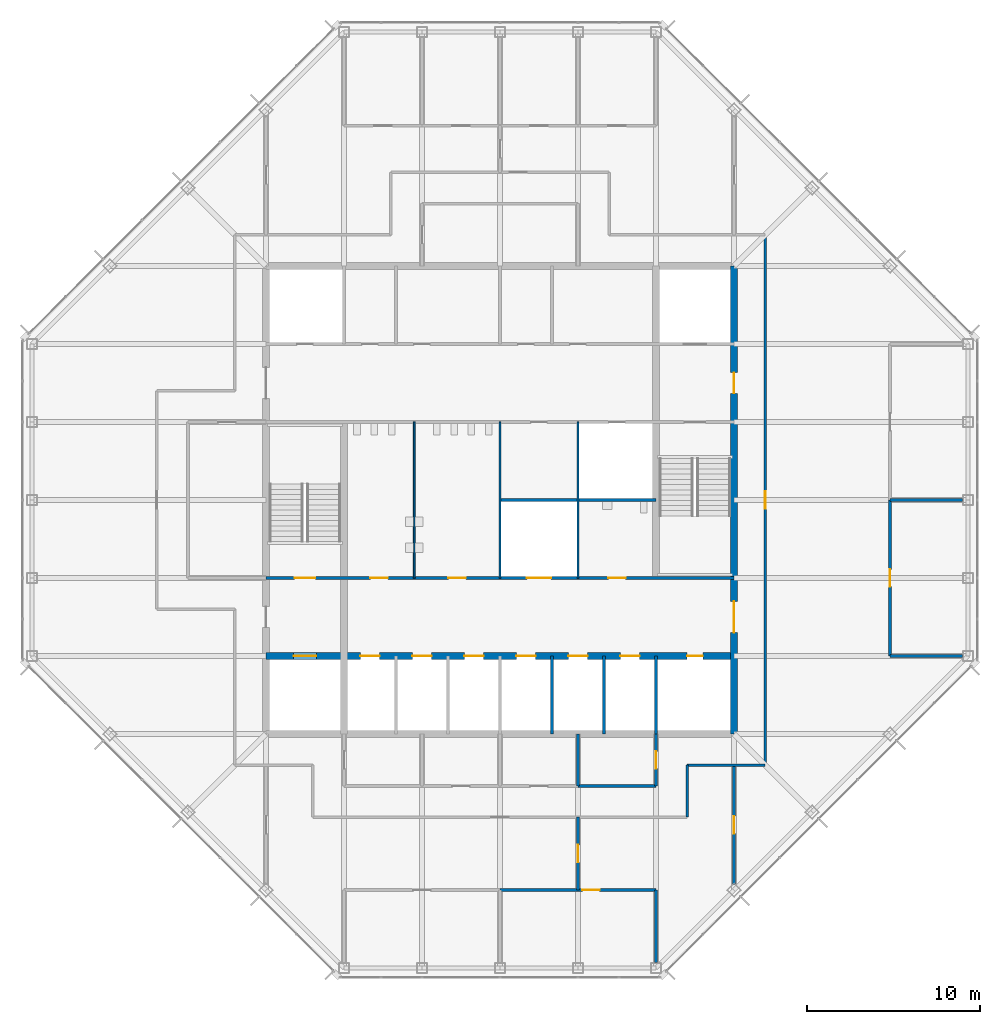
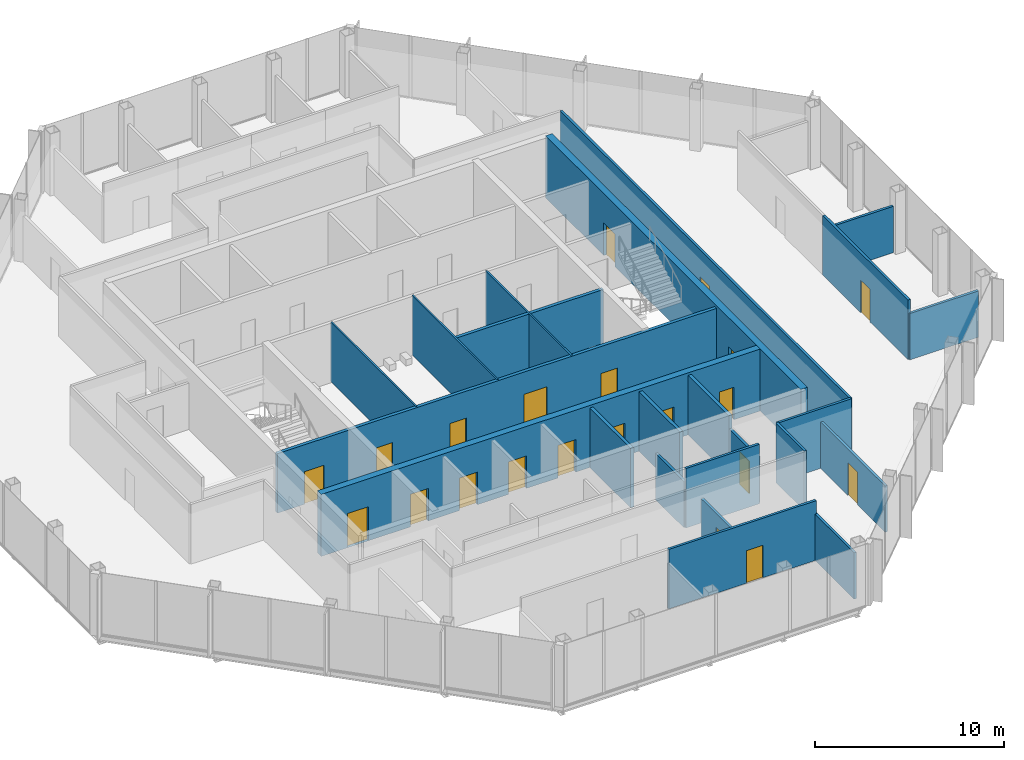
# One storey, part 10 of 14: 23 walls, 21 doors, 21 openings.
"""IFC4 building model written with IfcOpenShell, lengths in metres."""

from ifc_helpers import new_model, si_unit, direction, frame, frame_2d, origin, place, context, subcontext, project, spatial, rectangle, extrude, material, layer, layer_set, type_object, element, fill, save


model = new_model("IFC4")

# Units and contexts
model_context = context("Model", 3, precision=1e-05, world=origin(), true_north=direction((0.0, 1.0)))
body_context = subcontext(model_context, "Body", "Model", "MODEL_VIEW")
ifc_project = project(units=[si_unit("LENGTHUNIT", "METRE"), si_unit("AREAUNIT", "SQUARE_METRE"), si_unit("VOLUMEUNIT", "CUBIC_METRE"), si_unit("PLANEANGLEUNIT", "RADIAN"), si_unit("MASSUNIT", "GRAM", prefix="KILO")], contexts=[model_context])

# Site, building, storey
site_placement = place(None, origin())
site = spatial("IfcSite", under=ifc_project, at=site_placement, CompositionType="ELEMENT")
building_placement = place(site_placement, origin())
building = spatial("IfcBuilding", under=site, at=building_placement, Name="Corais Broadcast Tower", CompositionType="ELEMENT")
storey_placement = place(building_placement, frame((0.0, 0.0, 282.60009765625)))
storey = spatial("IfcBuildingStorey", under=building, at=storey_placement, Name="L66", CompositionType="ELEMENT", Elevation=282.60009765625)

# Wall
ifc_material_1 = material(Name="Concrete blockwork class A, grouted, two-hour", Category="masonry")
ifc_layer_1 = layer(ifc_material_1, 0.199951171875)
ifc_layer_set_1 = layer_set([ifc_layer_1], Name="Concrete blockwork class A, grouted, two-hour")
wall_type_1 = type_object("IfcWallType", Name="Core lobby wall 200", PredefinedType="SOLIDWALL", material=ifc_layer_set_1)
wall_1_placement = place(storey_placement, frame((36.0, 13.5, 0.0), z_axis=(0.0, 0.0, 1.0), x_axis=(0.0, 1.0, 0.0)))
element("IfcWall", 1, at=wall_1_placement, inside=storey, type_object=wall_type_1, Name="CL3 core shaft wall X36A L66", PredefinedType="SOLIDWALL", context=body_context, shape_type="SweptSolid", body=[
    extrude(rectangle(XDim=4.5, YDim=0.199951171875, at=frame_2d((2.25, 0.0))), origin(), (0.0, 0.0, 1.0), 3.83984375),
])

# Wall, openings, doors
wall_2_placement = place(storey_placement, frame((13.5, 22.5, 0.0), z_axis=(0.0, 0.0, 1.0), x_axis=(1.0, 0.0, 0.0)))
wall_2 = element("IfcWall", 2, at=wall_2_placement, inside=storey, type_object=wall_type_1, Name="CL3 core lobby wall Y225 L66", PredefinedType="SOLIDWALL", context=body_context, shape_type="SweptSolid", body=[
    extrude(rectangle(XDim=27.0, YDim=0.199951171875, at=frame_2d((13.5, 0.0))), origin(), (0.0, 0.0, 1.0), 3.83984375),
])
opening_1_placement = place(wall_2_placement, frame((1.64990234375, 0.0, 0.0)))
opening_1 = element("IfcOpeningElement", 3, at=opening_1_placement, cuts=wall_2, Name="Opening FD1", PredefinedType="OPENING", context=body_context, shape_type="SweptSolid", body=[
    extrude(rectangle(XDim=1.199951171875, YDim=2.10009765625, at=frame_2d((0.60009765625, 1.050048828125))), frame((0.0, 0.10986328125, 0.0), z_axis=(0.0, -1.0, 0.0), x_axis=(1.0, 0.0, 0.0)), (0.0, 0.0, 1.0), 0.219970703125),
])
opening_2_placement = place(wall_2_placement, frame((6.02490234375, 0.0, 0.0)))
opening_2 = element("IfcOpeningElement", 4, at=opening_2_placement, cuts=wall_2, Name="Opening WD1", PredefinedType="OPENING", context=body_context, shape_type="SweptSolid", body=[
    extrude(rectangle(XDim=1.0, YDim=2.10009765625, at=frame_2d((0.5, 1.050048828125))), frame((0.0, 0.10986328125, 0.0), z_axis=(0.0, -1.0, 0.0), x_axis=(1.0, 0.0, 0.0)), (0.0, 0.0, 1.0), 0.219970703125),
])
opening_3_placement = place(wall_2_placement, frame((10.52490234375, 0.0, 0.0)))
opening_3 = element("IfcOpeningElement", 5, at=opening_3_placement, cuts=wall_2, Name="Opening WD1", PredefinedType="OPENING", context=body_context, shape_type="SweptSolid", body=[
    extrude(rectangle(XDim=1.0, YDim=2.10009765625, at=frame_2d((0.5, 1.050048828125))), frame((0.0, 0.10986328125, 0.0), z_axis=(0.0, -1.0, 0.0), x_axis=(1.0, 0.0, 0.0)), (0.0, 0.0, 1.0), 0.219970703125),
])
opening_4_placement = place(wall_2_placement, frame((19.75, 0.0, 0.0)))
opening_4 = element("IfcOpeningElement", 6, at=opening_4_placement, cuts=wall_2, Name="Opening WD1", PredefinedType="OPENING", context=body_context, shape_type="SweptSolid", body=[
    extrude(rectangle(XDim=1.0, YDim=2.10009765625, at=frame_2d((0.5, 1.050048828125))), frame((0.0, 0.10986328125, 0.0), z_axis=(0.0, -1.0, 0.0), x_axis=(1.0, 0.0, 0.0)), (0.0, 0.0, 1.0), 0.219970703125),
])
opening_5_placement = place(wall_2_placement, frame((15.050048828125, 0.0, 0.0)))
opening_5 = element("IfcOpeningElement", 7, at=opening_5_placement, cuts=wall_2, Name="Opening LD3", PredefinedType="OPENING", context=body_context, shape_type="SweptSolid", body=[
    extrude(rectangle(XDim=1.39990234375, YDim=2.39990234375, at=frame_2d((0.699951171875, 1.199951171875))), frame((0.0, 0.10986328125, 0.0), z_axis=(0.0, -1.0, 0.0), x_axis=(1.0, 0.0, 0.0)), (0.0, 0.0, 1.0), 0.219970703125),
])
ifc_material_2 = material(Name="Steel fire door", Category="steel")
door_type_1 = type_object("IfcDoorType", Name="Fire door 1200x2100", OperationType="SINGLE_SWING_LEFT", PredefinedType="DOOR", material=ifc_material_2)
door_1_placement = place(opening_1_placement, origin())
door_1 = element("IfcDoor", 8, at=door_1_placement, inside=storey, type_object=door_type_1, Name="FD1 stair A door L66", OperationType="SINGLE_SWING_LEFT", OverallHeight=2.10009765625, OverallWidth=1.199951171875, PredefinedType="DOOR", context=body_context, shape_type="SweptSolid", body=[
    extrude(rectangle(XDim=1.199951171875, YDim=2.10009765625, at=frame_2d((0.60009765625, 1.050048828125))), frame((0.0, 0.02490234375, 0.0), z_axis=(0.0, -1.0, 0.0), x_axis=(1.0, 0.0, 0.0)), (0.0, 0.0, 1.0), 0.050048828125),
])
fill(opening_1, door_1)
ifc_material_3 = material(Name="Stainless steel lift door", Category="steel")
door_type_2 = type_object("IfcDoorType", Name="Service lift landing door 1400x2400", OperationType="SLIDING_TO_LEFT", PredefinedType="DOOR", material=ifc_material_3)
door_2_placement = place(opening_5_placement, origin())
door_2 = element("IfcDoor", 9, at=door_2_placement, inside=storey, type_object=door_type_2, Name="LD3 SL1 landing door L66", OperationType="SLIDING_TO_LEFT", OverallHeight=2.39990234375, OverallWidth=1.39990234375, PredefinedType="DOOR", context=body_context, shape_type="SweptSolid", body=[
    extrude(rectangle(XDim=1.39990234375, YDim=2.39990234375, at=frame_2d((0.699951171875, 1.199951171875))), frame((0.0, 0.02490234375, 0.0), z_axis=(0.0, -1.0, 0.0), x_axis=(1.0, 0.0, 0.0)), (0.0, 0.0, 1.0), 0.050048828125),
])
fill(opening_5, door_2)
ifc_material_4 = material(Name="Timber door", Category="wood")
door_type_3 = type_object("IfcDoorType", Name="Toilet door 1000x2100", OperationType="SINGLE_SWING_LEFT", PredefinedType="DOOR", material=ifc_material_4)
door_3_placement = place(opening_2_placement, origin())
door_3 = element("IfcDoor", 10, at=door_3_placement, inside=storey, type_object=door_type_3, Name="WD1 WC male door L66", OperationType="SINGLE_SWING_LEFT", OverallHeight=2.10009765625, OverallWidth=1.0, PredefinedType="DOOR", context=body_context, shape_type="SweptSolid", body=[
    extrude(rectangle(XDim=1.0, YDim=2.10009765625, at=frame_2d((0.5, 1.050048828125))), frame((0.0, 0.02490234375, 0.0), z_axis=(0.0, -1.0, 0.0), x_axis=(1.0, 0.0, 0.0)), (0.0, 0.0, 1.0), 0.050048828125),
])
fill(opening_2, door_3)
door_4_placement = place(opening_3_placement, origin())
door_4 = element("IfcDoor", 11, at=door_4_placement, inside=storey, type_object=door_type_3, Name="WD1 WC female door L66", OperationType="SINGLE_SWING_LEFT", OverallHeight=2.10009765625, OverallWidth=1.0, PredefinedType="DOOR", context=body_context, shape_type="SweptSolid", body=[
    extrude(rectangle(XDim=1.0, YDim=2.10009765625, at=frame_2d((0.5, 1.050048828125))), frame((0.0, 0.02490234375, 0.0), z_axis=(0.0, -1.0, 0.0), x_axis=(1.0, 0.0, 0.0)), (0.0, 0.0, 1.0), 0.050048828125),
])
fill(opening_3, door_4)
door_5_placement = place(opening_4_placement, origin())
door_5 = element("IfcDoor", 12, at=door_5_placement, inside=storey, type_object=door_type_3, Name="WD1 accessible WC door L66", OperationType="SINGLE_SWING_RIGHT", OverallHeight=2.10009765625, OverallWidth=1.0, PredefinedType="DOOR", context=body_context, shape_type="SweptSolid", body=[
    extrude(rectangle(XDim=1.0, YDim=2.10009765625, at=frame_2d((0.5, 1.050048828125))), frame((0.0, 0.02490234375, 0.0), z_axis=(0.0, -1.0, 0.0), x_axis=(1.0, 0.0, 0.0)), (0.0, 0.0, 1.0), 0.050048828125),
])
fill(opening_4, door_5)

ifc_material_5 = material(Name="Concrete C50/60", Category="concrete")
ifc_layer_2 = layer(ifc_material_5, 0.39990234375)
ifc_layer_set_2 = layer_set([ifc_layer_2], Name="Concrete C50/60")
wall_type_2 = type_object("IfcWallType", Name="Core wall 400", PredefinedType="SHEAR", material=ifc_layer_set_2)
wall_3_placement = place(storey_placement, frame((40.5, 13.5, 0.0), z_axis=(0.0, 0.0, 1.0), x_axis=(0.0, 1.0, 0.0)))
wall_3 = element("IfcWall", 13, at=wall_3_placement, inside=storey, type_object=wall_type_2, Name="CR400 core wall E L66", PredefinedType="SHEAR", context=body_context, shape_type="SweptSolid", body=[
    extrude(rectangle(XDim=27.0, YDim=0.39990234375, at=frame_2d((13.5, 0.0))), origin(), (0.0, 0.0, 1.0), 4.0),
])
opening_6_placement = place(wall_3_placement, frame((5.85009765625, 0.0, 0.0)))
opening_6 = element("IfcOpeningElement", 14, at=opening_6_placement, cuts=wall_3, Name="Opening FD2", PredefinedType="OPENING", context=body_context, shape_type="SweptSolid", body=[
    extrude(rectangle(XDim=1.800048828125, YDim=2.10009765625, at=frame_2d((0.89990234375, 1.050048828125))), frame((0.0, 0.2099609375, 0.0), z_axis=(0.0, -1.0, 0.0), x_axis=(1.0, 0.0, 0.0)), (0.0, 0.0, 1.0), 0.419921875),
])
opening_7_placement = place(wall_3_placement, frame((19.64990234375, 0.0, 0.0)))
opening_7 = element("IfcOpeningElement", 15, at=opening_7_placement, cuts=wall_3, Name="Opening FD1", PredefinedType="OPENING", context=body_context, shape_type="SweptSolid", body=[
    extrude(rectangle(XDim=1.199951171875, YDim=2.10009765625, at=frame_2d((0.60009765625, 1.050048828125))), frame((0.0, 0.2099609375, 0.0), z_axis=(0.0, -1.0, 0.0), x_axis=(1.0, 0.0, 0.0)), (0.0, 0.0, 1.0), 0.419921875),
])
door_6_placement = place(opening_7_placement, origin())
door_6 = element("IfcDoor", 16, at=door_6_placement, inside=storey, type_object=door_type_1, Name="FD1 fire lobby B door L66", OperationType="SINGLE_SWING_RIGHT", OverallHeight=2.10009765625, OverallWidth=1.199951171875, PredefinedType="DOOR", context=body_context, shape_type="SweptSolid", body=[
    extrude(rectangle(XDim=1.199951171875, YDim=2.10009765625, at=frame_2d((0.60009765625, 1.050048828125))), frame((0.0, 0.02490234375, 0.0), z_axis=(0.0, -1.0, 0.0), x_axis=(1.0, 0.0, 0.0)), (0.0, 0.0, 1.0), 0.050048828125),
])
fill(opening_7, door_6)
ifc_material_6 = material(Name="Steel fire door", Category="steel")
door_type_4 = type_object("IfcDoorType", Name="Fire door pair 1800x2100", OperationType="DOUBLE_DOOR_SINGLE_SWING", PredefinedType="DOOR", material=ifc_material_6)
door_7_placement = place(opening_6_placement, origin())
door_7 = element("IfcDoor", 17, at=door_7_placement, inside=storey, type_object=door_type_4, Name="FD2 lift lobby door L66", OperationType="SINGLE_SWING_LEFT", OverallHeight=2.10009765625, OverallWidth=1.800048828125, PredefinedType="DOOR", context=body_context, shape_type="SweptSolid", body=[
    extrude(rectangle(XDim=1.800048828125, YDim=2.10009765625, at=frame_2d((0.89990234375, 1.050048828125))), frame((0.0, 0.02490234375, 0.0), z_axis=(0.0, -1.0, 0.0), x_axis=(1.0, 0.0, 0.0)), (0.0, 0.0, 1.0), 0.050048828125),
])
fill(opening_6, door_7)

wall_4_placement = place(storey_placement, frame((13.5, 18.0, 0.0), z_axis=(0.0, 0.0, 1.0), x_axis=(1.0, 0.0, 0.0)))
wall_4 = element("IfcWall", 18, at=wall_4_placement, inside=storey, type_object=wall_type_2, Name="CR400 core wall Y18 L66", PredefinedType="SHEAR", context=body_context, shape_type="SweptSolid", body=[
    extrude(rectangle(XDim=27.0, YDim=0.39990234375, at=frame_2d((13.5, 0.0))), origin(), (0.0, 0.0, 1.0), 4.0),
])
opening_8_placement = place(wall_4_placement, frame((24.300048828125, 0.0, 0.0)))
opening_8 = element("IfcOpeningElement", 19, at=opening_8_placement, cuts=wall_4, Name="Opening RD1", PredefinedType="OPENING", context=body_context, shape_type="SweptSolid", body=[
    extrude(rectangle(XDim=0.89990234375, YDim=2.10009765625, at=frame_2d((0.449951171875, 1.050048828125))), frame((0.0, 0.2099609375, 0.0), z_axis=(0.0, -1.0, 0.0), x_axis=(1.0, 0.0, 0.0)), (0.0, 0.0, 1.0), 0.419921875),
])
opening_9_placement = place(wall_4_placement, frame((5.449951171875, 0.0, 0.0)))
opening_9 = element("IfcOpeningElement", 20, at=opening_9_placement, cuts=wall_4, Name="Opening LD1", PredefinedType="OPENING", context=body_context, shape_type="SweptSolid", body=[
    extrude(rectangle(XDim=1.10009765625, YDim=2.10009765625, at=frame_2d((0.550048828125, 1.050048828125))), frame((0.0, 0.2099609375, 0.0), z_axis=(0.0, -1.0, 0.0), x_axis=(1.0, 0.0, 0.0)), (0.0, 0.0, 1.0), 0.419921875),
])
opening_10_placement = place(wall_4_placement, frame((8.449951171875, 0.0, 0.0)))
opening_10 = element("IfcOpeningElement", 21, at=opening_10_placement, cuts=wall_4, Name="Opening LD1", PredefinedType="OPENING", context=body_context, shape_type="SweptSolid", body=[
    extrude(rectangle(XDim=1.10009765625, YDim=2.10009765625, at=frame_2d((0.550048828125, 1.050048828125))), frame((0.0, 0.2099609375, 0.0), z_axis=(0.0, -1.0, 0.0), x_axis=(1.0, 0.0, 0.0)), (0.0, 0.0, 1.0), 0.419921875),
])
opening_11_placement = place(wall_4_placement, frame((11.449951171875, 0.0, 0.0)))
opening_11 = element("IfcOpeningElement", 22, at=opening_11_placement, cuts=wall_4, Name="Opening LD1", PredefinedType="OPENING", context=body_context, shape_type="SweptSolid", body=[
    extrude(rectangle(XDim=1.10009765625, YDim=2.10009765625, at=frame_2d((0.550048828125, 1.050048828125))), frame((0.0, 0.2099609375, 0.0), z_axis=(0.0, -1.0, 0.0), x_axis=(1.0, 0.0, 0.0)), (0.0, 0.0, 1.0), 0.419921875),
])
opening_12_placement = place(wall_4_placement, frame((14.449951171875, 0.0, 0.0)))
opening_12 = element("IfcOpeningElement", 23, at=opening_12_placement, cuts=wall_4, Name="Opening LD1", PredefinedType="OPENING", context=body_context, shape_type="SweptSolid", body=[
    extrude(rectangle(XDim=1.10009765625, YDim=2.10009765625, at=frame_2d((0.550048828125, 1.050048828125))), frame((0.0, 0.2099609375, 0.0), z_axis=(0.0, -1.0, 0.0), x_axis=(1.0, 0.0, 0.0)), (0.0, 0.0, 1.0), 0.419921875),
])
opening_13_placement = place(wall_4_placement, frame((17.449951171875, 0.0, 0.0)))
opening_13 = element("IfcOpeningElement", 24, at=opening_13_placement, cuts=wall_4, Name="Opening LD1", PredefinedType="OPENING", context=body_context, shape_type="SweptSolid", body=[
    extrude(rectangle(XDim=1.10009765625, YDim=2.10009765625, at=frame_2d((0.550048828125, 1.050048828125))), frame((0.0, 0.2099609375, 0.0), z_axis=(0.0, -1.0, 0.0), x_axis=(1.0, 0.0, 0.0)), (0.0, 0.0, 1.0), 0.419921875),
])
opening_14_placement = place(wall_4_placement, frame((20.449951171875, 0.0, 0.0)))
opening_14 = element("IfcOpeningElement", 25, at=opening_14_placement, cuts=wall_4, Name="Opening LD1", PredefinedType="OPENING", context=body_context, shape_type="SweptSolid", body=[
    extrude(rectangle(XDim=1.10009765625, YDim=2.10009765625, at=frame_2d((0.550048828125, 1.050048828125))), frame((0.0, 0.2099609375, 0.0), z_axis=(0.0, -1.0, 0.0), x_axis=(1.0, 0.0, 0.0)), (0.0, 0.0, 1.0), 0.419921875),
])
opening_15_placement = place(wall_4_placement, frame((1.60009765625, 0.0, 0.0)))
opening_15 = element("IfcOpeningElement", 26, at=opening_15_placement, cuts=wall_4, Name="Opening LD2", PredefinedType="OPENING", context=body_context, shape_type="SweptSolid", body=[
    extrude(rectangle(XDim=1.300048828125, YDim=2.199951171875, at=frame_2d((0.64990234375, 1.10009765625))), frame((0.0, 0.2099609375, 0.0), z_axis=(0.0, -1.0, 0.0), x_axis=(1.0, 0.0, 0.0)), (0.0, 0.0, 1.0), 0.419921875),
])
ifc_material_7 = material(Name="Stainless steel lift door", Category="steel")
door_type_5 = type_object("IfcDoorType", Name="Lift landing door 1100x2100", OperationType="SLIDING_TO_LEFT", PredefinedType="DOOR", material=ifc_material_7)
door_8_placement = place(opening_9_placement, origin())
door_8 = element("IfcDoor", 27, at=door_8_placement, inside=storey, type_object=door_type_5, Name="LD1 PH1 landing door L66", OperationType="SLIDING_TO_LEFT", OverallHeight=2.10009765625, OverallWidth=1.10009765625, PredefinedType="DOOR", context=body_context, shape_type="SweptSolid", body=[
    extrude(rectangle(XDim=1.10009765625, YDim=2.10009765625, at=frame_2d((0.550048828125, 1.050048828125))), frame((0.0, 0.02490234375, 0.0), z_axis=(0.0, -1.0, 0.0), x_axis=(1.0, 0.0, 0.0)), (0.0, 0.0, 1.0), 0.050048828125),
])
fill(opening_9, door_8)
door_9_placement = place(opening_10_placement, origin())
door_9 = element("IfcDoor", 28, at=door_9_placement, inside=storey, type_object=door_type_5, Name="LD1 PH2 landing door L66", OperationType="SLIDING_TO_LEFT", OverallHeight=2.10009765625, OverallWidth=1.10009765625, PredefinedType="DOOR", context=body_context, shape_type="SweptSolid", body=[
    extrude(rectangle(XDim=1.10009765625, YDim=2.10009765625, at=frame_2d((0.550048828125, 1.050048828125))), frame((0.0, 0.02490234375, 0.0), z_axis=(0.0, -1.0, 0.0), x_axis=(1.0, 0.0, 0.0)), (0.0, 0.0, 1.0), 0.050048828125),
])
fill(opening_10, door_9)
door_10_placement = place(opening_11_placement, origin())
door_10 = element("IfcDoor", 29, at=door_10_placement, inside=storey, type_object=door_type_5, Name="LD1 PH3 landing door L66", OperationType="SLIDING_TO_LEFT", OverallHeight=2.10009765625, OverallWidth=1.10009765625, PredefinedType="DOOR", context=body_context, shape_type="SweptSolid", body=[
    extrude(rectangle(XDim=1.10009765625, YDim=2.10009765625, at=frame_2d((0.550048828125, 1.050048828125))), frame((0.0, 0.02490234375, 0.0), z_axis=(0.0, -1.0, 0.0), x_axis=(1.0, 0.0, 0.0)), (0.0, 0.0, 1.0), 0.050048828125),
])
fill(opening_11, door_10)
door_11_placement = place(opening_12_placement, origin())
door_11 = element("IfcDoor", 30, at=door_11_placement, inside=storey, type_object=door_type_5, Name="LD1 PH4 landing door L66", OperationType="SLIDING_TO_LEFT", OverallHeight=2.10009765625, OverallWidth=1.10009765625, PredefinedType="DOOR", context=body_context, shape_type="SweptSolid", body=[
    extrude(rectangle(XDim=1.10009765625, YDim=2.10009765625, at=frame_2d((0.550048828125, 1.050048828125))), frame((0.0, 0.02490234375, 0.0), z_axis=(0.0, -1.0, 0.0), x_axis=(1.0, 0.0, 0.0)), (0.0, 0.0, 1.0), 0.050048828125),
])
fill(opening_12, door_11)
door_12_placement = place(opening_13_placement, origin())
door_12 = element("IfcDoor", 31, at=door_12_placement, inside=storey, type_object=door_type_5, Name="LD1 PH5 landing door L66", OperationType="SLIDING_TO_LEFT", OverallHeight=2.10009765625, OverallWidth=1.10009765625, PredefinedType="DOOR", context=body_context, shape_type="SweptSolid", body=[
    extrude(rectangle(XDim=1.10009765625, YDim=2.10009765625, at=frame_2d((0.550048828125, 1.050048828125))), frame((0.0, 0.02490234375, 0.0), z_axis=(0.0, -1.0, 0.0), x_axis=(1.0, 0.0, 0.0)), (0.0, 0.0, 1.0), 0.050048828125),
])
fill(opening_13, door_12)
door_13_placement = place(opening_14_placement, origin())
door_13 = element("IfcDoor", 32, at=door_13_placement, inside=storey, type_object=door_type_5, Name="LD1 PH6 landing door L66", OperationType="SLIDING_TO_LEFT", OverallHeight=2.10009765625, OverallWidth=1.10009765625, PredefinedType="DOOR", context=body_context, shape_type="SweptSolid", body=[
    extrude(rectangle(XDim=1.10009765625, YDim=2.10009765625, at=frame_2d((0.550048828125, 1.050048828125))), frame((0.0, 0.02490234375, 0.0), z_axis=(0.0, -1.0, 0.0), x_axis=(1.0, 0.0, 0.0)), (0.0, 0.0, 1.0), 0.050048828125),
])
fill(opening_14, door_13)
ifc_material_8 = material(Name="Stainless steel lift door", Category="steel")
door_type_6 = type_object("IfcDoorType", Name="Lift landing door 1300x2200", OperationType="SLIDING_TO_LEFT", PredefinedType="DOOR", material=ifc_material_8)
door_14_placement = place(opening_15_placement, origin())
door_14 = element("IfcDoor", 33, at=door_14_placement, inside=storey, type_object=door_type_6, Name="LD2 FL1 landing door L66", OperationType="SLIDING_TO_LEFT", OverallHeight=2.199951171875, OverallWidth=1.300048828125, PredefinedType="DOOR", context=body_context, shape_type="SweptSolid", body=[
    extrude(rectangle(XDim=1.300048828125, YDim=2.199951171875, at=frame_2d((0.64990234375, 1.10009765625))), frame((0.0, 0.02490234375, 0.0), z_axis=(0.0, -1.0, 0.0), x_axis=(1.0, 0.0, 0.0)), (0.0, 0.0, 1.0), 0.050048828125),
])
fill(opening_15, door_14)
ifc_material_9 = material(Name="Steel fire door", Category="steel")
door_type_7 = type_object("IfcDoorType", Name="Riser door 900x2100", OperationType="SINGLE_SWING_LEFT", PredefinedType="DOOR", material=ifc_material_9)
door_15_placement = place(opening_8_placement, origin())
door_15 = element("IfcDoor", 34, at=door_15_placement, inside=storey, type_object=door_type_7, Name="RD1 riser door L66", OperationType="SINGLE_SWING_RIGHT", OverallHeight=2.10009765625, OverallWidth=0.89990234375, PredefinedType="DOOR", context=body_context, shape_type="SweptSolid", body=[
    extrude(rectangle(XDim=0.89990234375, YDim=2.10009765625, at=frame_2d((0.449951171875, 1.050048828125))), frame((0.0, 0.02490234375, 0.0), z_axis=(0.0, -1.0, 0.0), x_axis=(1.0, 0.0, 0.0)), (0.0, 0.0, 1.0), 0.050048828125),
])
fill(opening_8, door_15)

# Wall, opening, door
ifc_material_10 = material(Name="Gypsum board on steel studs", Category="steel")
ifc_layer_3 = layer(ifc_material_10, 0.14990234375)
ifc_layer_set_3 = layer_set([ifc_layer_3], Name="Gypsum board on steel studs")
wall_type_3 = type_object("IfcWallType", Name="Partition 150", PredefinedType="PARTITIONING", material=ifc_layer_set_3)
wall_5_placement = place(storey_placement, frame((42.300048828125, 11.699951171875, 0.0), z_axis=(0.0, 0.0, 1.0), x_axis=(0.0, 1.0, 0.0)))
wall_5 = element("IfcWall", 35, at=wall_5_placement, inside=storey, type_object=wall_type_3, Name="IW3 corridor wall L66", PredefinedType="PARTITIONING", context=body_context, shape_type="SweptSolid", body=[
    extrude(rectangle(XDim=30.60009765625, YDim=0.14990234375, at=frame_2d((15.300048828125, 0.0))), origin(), (0.0, 0.0, 1.0), 3.83984375),
])
opening_16_placement = place(wall_5_placement, frame((14.800048828125, 0.0, 0.0)))
opening_16 = element("IfcOpeningElement", 36, at=opening_16_placement, cuts=wall_5, Name="Opening D1", PredefinedType="OPENING", context=body_context, shape_type="SweptSolid", body=[
    extrude(rectangle(XDim=1.0, YDim=2.10009765625, at=frame_2d((0.5, 1.050048828125))), frame((0.0, 0.0849609375, 0.0), z_axis=(0.0, -1.0, 0.0), x_axis=(1.0, 0.0, 0.0)), (0.0, 0.0, 1.0), 0.169921875),
])
ifc_material_11 = material(Name="Timber door", Category="wood")
door_type_8 = type_object("IfcDoorType", Name="Single door 1000x2100", OperationType="SINGLE_SWING_LEFT", PredefinedType="DOOR", material=ifc_material_11)
door_16_placement = place(opening_16_placement, origin())
door_16 = element("IfcDoor", 37, at=door_16_placement, inside=storey, type_object=door_type_8, Name="D1 workplace door L66", OperationType="SINGLE_SWING_LEFT", OverallHeight=2.10009765625, OverallWidth=1.0, PredefinedType="DOOR", context=body_context, shape_type="SweptSolid", body=[
    extrude(rectangle(XDim=1.0, YDim=2.10009765625, at=frame_2d((0.5, 1.050048828125))), frame((0.0, 0.02490234375, 0.0), z_axis=(0.0, -1.0, 0.0), x_axis=(1.0, 0.0, 0.0)), (0.0, 0.0, 1.0), 0.050048828125),
])
fill(opening_16, door_16)

# Walls
wall_6_placement = place(storey_placement, frame((37.800048828125, 11.699951171875, 0.0), z_axis=(0.0, 0.0, 1.0), x_axis=(1.0, 0.0, 0.0)))
element("IfcWall", 38, at=wall_6_placement, inside=storey, type_object=wall_type_3, Name="IW3 corridor wall L66", PredefinedType="PARTITIONING", context=body_context, shape_type="SweptSolid", body=[
    extrude(rectangle(XDim=4.5, YDim=0.14990234375, at=frame_2d((2.25, 0.0))), origin(), (0.0, 0.0, 1.0), 3.83984375),
])
wall_7_placement = place(storey_placement, frame((37.800048828125, 8.699951171875, 0.0), z_axis=(0.0, 0.0, 1.0), x_axis=(0.0, 1.0, 0.0)))
element("IfcWall", 39, at=wall_7_placement, inside=storey, type_object=wall_type_3, Name="IW3 corridor wall L66", PredefinedType="PARTITIONING", context=body_context, shape_type="SweptSolid", body=[
    extrude(rectangle(XDim=3.0, YDim=0.14990234375, at=frame_2d((1.5, 0.0))), origin(), (0.0, 0.0, 1.0), 3.83984375),
])
wall_8_placement = place(storey_placement, frame((36.0, 0.31005859375, 0.0), z_axis=(0.0, 0.0, 1.0), x_axis=(0.0, 1.0, 0.0)))
element("IfcWall", 40, at=wall_8_placement, inside=storey, type_object=wall_type_3, Name="IW3 partition L66", PredefinedType="PARTITIONING", context=body_context, shape_type="SweptSolid", body=[
    extrude(rectangle(XDim=4.18994140625, YDim=0.14990234375, at=frame_2d((2.094970703125, 0.0))), origin(), (0.0, 0.0, 1.0), 2.989013671875),
])

# Wall, opening, door
wall_9_placement = place(storey_placement, frame((36.0, 4.5, 0.0), z_axis=(0.0, 0.0, 1.0), x_axis=(-1.0, 0.0, 0.0)))
wall_9 = element("IfcWall", 41, at=wall_9_placement, inside=storey, type_object=wall_type_3, Name="IW3 partition L66", PredefinedType="PARTITIONING", context=body_context, shape_type="SweptSolid", body=[
    extrude(rectangle(XDim=9.0, YDim=0.14990234375, at=frame_2d((4.5, 0.0))), origin(), (0.0, 0.0, 1.0), 3.83984375),
])
opening_17_placement = place(wall_9_placement, frame((3.25, 0.0, 0.0)))
opening_17 = element("IfcOpeningElement", 42, at=opening_17_placement, cuts=wall_9, Name="Opening D1", PredefinedType="OPENING", context=body_context, shape_type="SweptSolid", body=[
    extrude(rectangle(XDim=1.0, YDim=2.10009765625, at=frame_2d((0.5, 1.050048828125))), frame((0.0, 0.0849609375, 0.0), z_axis=(0.0, -1.0, 0.0), x_axis=(1.0, 0.0, 0.0)), (0.0, 0.0, 1.0), 0.169921875),
])
door_17_placement = place(opening_17_placement, origin())
door_17 = element("IfcDoor", 43, at=door_17_placement, inside=storey, type_object=door_type_8, Name="D1 Director office door", OperationType="SINGLE_SWING_LEFT", OverallHeight=2.10009765625, OverallWidth=1.0, PredefinedType="DOOR", context=body_context, shape_type="SweptSolid", body=[
    extrude(rectangle(XDim=1.0, YDim=2.10009765625, at=frame_2d((0.5, 1.050048828125))), frame((0.0, 0.02490234375, 0.0), z_axis=(0.0, -1.0, 0.0), x_axis=(1.0, 0.0, 0.0)), (0.0, 0.0, 1.0), 0.050048828125),
])
fill(opening_17, door_17)

# Walls
for number, where, z_axis, x_axis, name in (
    (44, (49.5, 18.0, 0.0), (0.0, 0.0, 1.0), (1.0, 0.0, 0.0), "IW3 partition L66"),
    (45, (53.68994140625, 27.0, 0.0), (0.0, 0.0, 1.0), (-1.0, 0.0, 0.0), "IW3 partition L66"),
):
    element("IfcWall", number, at=place(storey_placement, frame(where, z_axis=z_axis, x_axis=x_axis)), inside=storey, type_object=wall_type_3, Name=name, PredefinedType="PARTITIONING", context=body_context, shape_type="SweptSolid", body=[
        extrude(rectangle(XDim=4.18994140625, YDim=0.14990234375, at=frame_2d((2.094970703125, 0.0))), origin(), (0.0, 0.0, 1.0), 2.989013671875),
    ])

# Wall, opening, door
wall_10_placement = place(storey_placement, frame((49.5, 27.0, 0.0), z_axis=(0.0, 0.0, 1.0), x_axis=(0.0, -1.0, 0.0)))
wall_10 = element("IfcWall", 46, at=wall_10_placement, inside=storey, type_object=wall_type_3, Name="IW3 partition L66", PredefinedType="PARTITIONING", context=body_context, shape_type="SweptSolid", body=[
    extrude(rectangle(XDim=9.0, YDim=0.14990234375, at=frame_2d((4.5, 0.0))), origin(), (0.0, 0.0, 1.0), 3.83984375),
])
opening_18_placement = place(wall_10_placement, frame((4.0, 0.0, 0.0)))
opening_18 = element("IfcOpeningElement", 47, at=opening_18_placement, cuts=wall_10, Name="Opening D1", PredefinedType="OPENING", context=body_context, shape_type="SweptSolid", body=[
    extrude(rectangle(XDim=1.0, YDim=2.10009765625, at=frame_2d((0.5, 1.050048828125))), frame((0.0, 0.0849609375, 0.0), z_axis=(0.0, -1.0, 0.0), x_axis=(1.0, 0.0, 0.0)), (0.0, 0.0, 1.0), 0.169921875),
])
door_18_placement = place(opening_18_placement, origin())
door_18 = element("IfcDoor", 48, at=door_18_placement, inside=storey, type_object=door_type_8, Name="D1 Director office door", OperationType="SINGLE_SWING_LEFT", OverallHeight=2.10009765625, OverallWidth=1.0, PredefinedType="DOOR", context=body_context, shape_type="SweptSolid", body=[
    extrude(rectangle(XDim=1.0, YDim=2.10009765625, at=frame_2d((0.5, 1.050048828125))), frame((0.0, 0.02490234375, 0.0), z_axis=(0.0, -1.0, 0.0), x_axis=(1.0, 0.0, 0.0)), (0.0, 0.0, 1.0), 0.050048828125),
])
fill(opening_18, door_18)

# Walls
wall_11_placement = place(storey_placement, frame((31.5, 10.5, 0.0), z_axis=(0.0, 0.0, 1.0), x_axis=(0.0, 1.0, 0.0)))
element("IfcWall", 49, at=wall_11_placement, inside=storey, type_object=wall_type_3, Name="IW3 partition L66", PredefinedType="PARTITIONING", context=body_context, shape_type="SweptSolid", body=[
    extrude(rectangle(XDim=3.0, YDim=0.14990234375, at=frame_2d((1.5, 0.0))), origin(), (0.0, 0.0, 1.0), 2.989013671875),
])
wall_12_placement = place(storey_placement, frame((31.5, 10.5, 0.0), z_axis=(0.0, 0.0, 1.0), x_axis=(1.0, 0.0, 0.0)))
element("IfcWall", 50, at=wall_12_placement, inside=storey, type_object=wall_type_3, Name="IW3 partition L66", PredefinedType="PARTITIONING", context=body_context, shape_type="SweptSolid", body=[
    extrude(rectangle(XDim=4.5, YDim=0.14990234375, at=frame_2d((2.25, 0.0))), origin(), (0.0, 0.0, 1.0), 3.83984375),
])

# Wall, opening, door
wall_13_placement = place(storey_placement, frame((36.0, 10.5, 0.0), z_axis=(0.0, 0.0, 1.0), x_axis=(0.0, 1.0, 0.0)))
wall_13 = element("IfcWall", 51, at=wall_13_placement, inside=storey, type_object=wall_type_3, Name="IW3 partition L66", PredefinedType="PARTITIONING", context=body_context, shape_type="SweptSolid", body=[
    extrude(rectangle(XDim=3.0, YDim=0.14990234375, at=frame_2d((1.5, 0.0))), origin(), (0.0, 0.0, 1.0), 2.989013671875),
])
opening_19_placement = place(wall_13_placement, frame((1.0, 0.0, 0.0)))
opening_19 = element("IfcOpeningElement", 52, at=opening_19_placement, cuts=wall_13, Name="Opening D1", PredefinedType="OPENING", context=body_context, shape_type="SweptSolid", body=[
    extrude(rectangle(XDim=1.0, YDim=2.10009765625, at=frame_2d((0.5, 1.050048828125))), frame((0.0, 0.0849609375, 0.0), z_axis=(0.0, -1.0, 0.0), x_axis=(1.0, 0.0, 0.0)), (0.0, 0.0, 1.0), 0.169921875),
])
door_19_placement = place(opening_19_placement, origin())
door_19 = element("IfcDoor", 53, at=door_19_placement, inside=storey, type_object=door_type_8, Name="D1 Quiet room door", OperationType="SINGLE_SWING_LEFT", OverallHeight=2.10009765625, OverallWidth=1.0, PredefinedType="DOOR", context=body_context, shape_type="SweptSolid", body=[
    extrude(rectangle(XDim=1.0, YDim=2.10009765625, at=frame_2d((0.5, 1.050048828125))), frame((0.0, 0.02490234375, 0.0), z_axis=(0.0, -1.0, 0.0), x_axis=(1.0, 0.0, 0.0)), (0.0, 0.0, 1.0), 0.050048828125),
])
fill(opening_19, door_19)

wall_14_placement = place(storey_placement, frame((40.5, 4.820068359375, 0.0), z_axis=(0.0, 0.0, 1.0), x_axis=(0.0, 1.0, 0.0)))
wall_14 = element("IfcWall", 54, at=wall_14_placement, inside=storey, type_object=wall_type_3, Name="IW3 partition L66", PredefinedType="PARTITIONING", context=body_context, shape_type="SweptSolid", body=[
    extrude(rectangle(XDim=6.8798828125, YDim=0.14990234375, at=frame_2d((3.43994140625, 0.0))), origin(), (0.0, 0.0, 1.0), 2.989013671875),
])
opening_20_placement = place(wall_14_placement, frame((2.93994140625, 0.0, 0.0)))
opening_20 = element("IfcOpeningElement", 55, at=opening_20_placement, cuts=wall_14, Name="Opening D1", PredefinedType="OPENING", context=body_context, shape_type="SweptSolid", body=[
    extrude(rectangle(XDim=1.0, YDim=2.10009765625, at=frame_2d((0.5, 1.050048828125))), frame((0.0, 0.0849609375, 0.0), z_axis=(0.0, -1.0, 0.0), x_axis=(1.0, 0.0, 0.0)), (0.0, 0.0, 1.0), 0.169921875),
])
door_20_placement = place(opening_20_placement, origin())
door_20 = element("IfcDoor", 56, at=door_20_placement, inside=storey, type_object=door_type_8, Name="D1 team room door L66", OperationType="SINGLE_SWING_LEFT", OverallHeight=2.10009765625, OverallWidth=1.0, PredefinedType="DOOR", context=body_context, shape_type="SweptSolid", body=[
    extrude(rectangle(XDim=1.0, YDim=2.10009765625, at=frame_2d((0.5, 1.050048828125))), frame((0.0, 0.02490234375, 0.0), z_axis=(0.0, -1.0, 0.0), x_axis=(1.0, 0.0, 0.0)), (0.0, 0.0, 1.0), 0.050048828125),
])
fill(opening_20, door_20)

wall_15_placement = place(storey_placement, frame((31.5, 8.699951171875, 0.0), z_axis=(0.0, 0.0, 1.0), x_axis=(0.0, -1.0, 0.0)))
wall_15 = element("IfcWall", 57, at=wall_15_placement, inside=storey, type_object=wall_type_3, Name="IW3 partition L66", PredefinedType="PARTITIONING", context=body_context, shape_type="SweptSolid", body=[
    extrude(rectangle(XDim=4.199951171875, YDim=0.14990234375, at=frame_2d((2.10009765625, 0.0))), origin(), (0.0, 0.0, 1.0), 2.989013671875),
])
opening_21_placement = place(wall_15_placement, frame((1.60009765625, 0.0, 0.0)))
opening_21 = element("IfcOpeningElement", 58, at=opening_21_placement, cuts=wall_15, Name="Opening D1", PredefinedType="OPENING", context=body_context, shape_type="SweptSolid", body=[
    extrude(rectangle(XDim=1.0, YDim=2.10009765625, at=frame_2d((0.5, 1.050048828125))), frame((0.0, 0.0849609375, 0.0), z_axis=(0.0, -1.0, 0.0), x_axis=(1.0, 0.0, 0.0)), (0.0, 0.0, 1.0), 0.169921875),
])
door_21_placement = place(opening_21_placement, origin())
door_21 = element("IfcDoor", 59, at=door_21_placement, inside=storey, type_object=door_type_8, Name="D1 team room door L66", OperationType="SINGLE_SWING_LEFT", OverallHeight=2.10009765625, OverallWidth=1.0, PredefinedType="DOOR", context=body_context, shape_type="SweptSolid", body=[
    extrude(rectangle(XDim=1.0, YDim=2.10009765625, at=frame_2d((0.5, 1.050048828125))), frame((0.0, 0.02490234375, 0.0), z_axis=(0.0, -1.0, 0.0), x_axis=(1.0, 0.0, 0.0)), (0.0, 0.0, 1.0), 0.050048828125),
])
fill(opening_21, door_21)

# Walls
ifc_material_12 = material(Name="Concrete blockwork class A, grouted, two-hour", Category="masonry")
ifc_layer_4 = layer(ifc_material_12, 0.199951171875)
ifc_layer_set_4 = layer_set([ifc_layer_4], Name="Concrete blockwork class A, grouted, two-hour")
wall_type_4 = type_object("IfcWallType", Name="Shaft wall 200", PredefinedType="PARTITIONING", material=ifc_layer_set_4)
for number, where, z_axis, x_axis, name in (
    (60, (30.0, 13.5, 0.0), (0.0, 0.0, 1.0), (0.0, 1.0, 0.0), "IW1 shaft wall L66"),
    (61, (33.0, 13.5, 0.0), (0.0, 0.0, 1.0), (0.0, 1.0, 0.0), "IW1 shaft wall L66"),
):
    element("IfcWall", number, at=place(storey_placement, frame(where, z_axis=z_axis, x_axis=x_axis)), inside=storey, type_object=wall_type_4, Name=name, PredefinedType="PARTITIONING", context=body_context, shape_type="SweptSolid", body=[
        extrude(rectangle(XDim=4.5, YDim=0.199951171875, at=frame_2d((2.25, 0.0))), origin(), (0.0, 0.0, 1.0), 3.83984375),
    ])
wall_16_placement = place(storey_placement, frame((27.0, 27.0, 0.0), z_axis=(0.0, 0.0, 1.0), x_axis=(1.0, 0.0, 0.0)))
element("IfcWall", 62, at=wall_16_placement, inside=storey, type_object=wall_type_4, Name="IW1 shaft wall L66", PredefinedType="PARTITIONING", context=body_context, shape_type="SweptSolid", body=[
    extrude(rectangle(XDim=9.0, YDim=0.199951171875, at=frame_2d((4.5, 0.0))), origin(), (0.0, 0.0, 1.0), 3.83984375),
])
ifc_material_13 = material(Name="Dense concrete blockwork class A, tiled both faces", Category="masonry")
ifc_layer_5 = layer(ifc_material_13, 0.10009765625)
ifc_layer_set_5 = layer_set([ifc_layer_5], Name="Dense concrete blockwork class A, tiled both faces")
wall_type_5 = type_object("IfcWallType", Name="Toilet wall 100", PredefinedType="PLUMBINGWALL", material=ifc_layer_set_5)
for number, where, z_axis, x_axis, name in (
    (63, (22.050048828125, 22.5, 0.0), (0.0, 0.0, 1.0), (0.0, 1.0, 0.0), "IW2 toilet wall L66"),
    (64, (27.0, 22.5, 0.0), (0.0, 0.0, 1.0), (0.0, 1.0, 0.0), "IW2 toilet wall L66"),
    (65, (31.5, 22.5, 0.0), (0.0, 0.0, 1.0), (0.0, 1.0, 0.0), "IW2 toilet wall L66"),
):
    element("IfcWall", number, at=place(storey_placement, frame(where, z_axis=z_axis, x_axis=x_axis)), inside=storey, type_object=wall_type_5, Name=name, PredefinedType="PLUMBINGWALL", context=body_context, shape_type="SweptSolid", body=[
        extrude(rectangle(XDim=9.0, YDim=0.10009765625, at=frame_2d((4.5, 0.0))), origin(), (0.0, 0.0, 1.0), 3.83984375),
    ])

save(model, "model.ifc")
